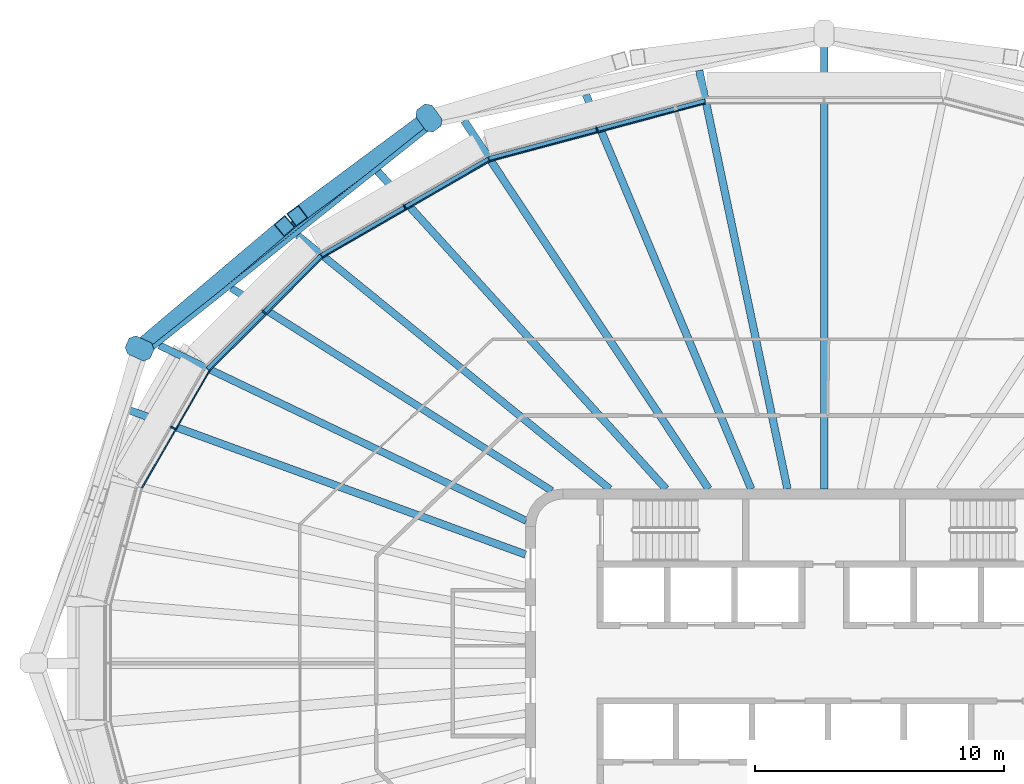
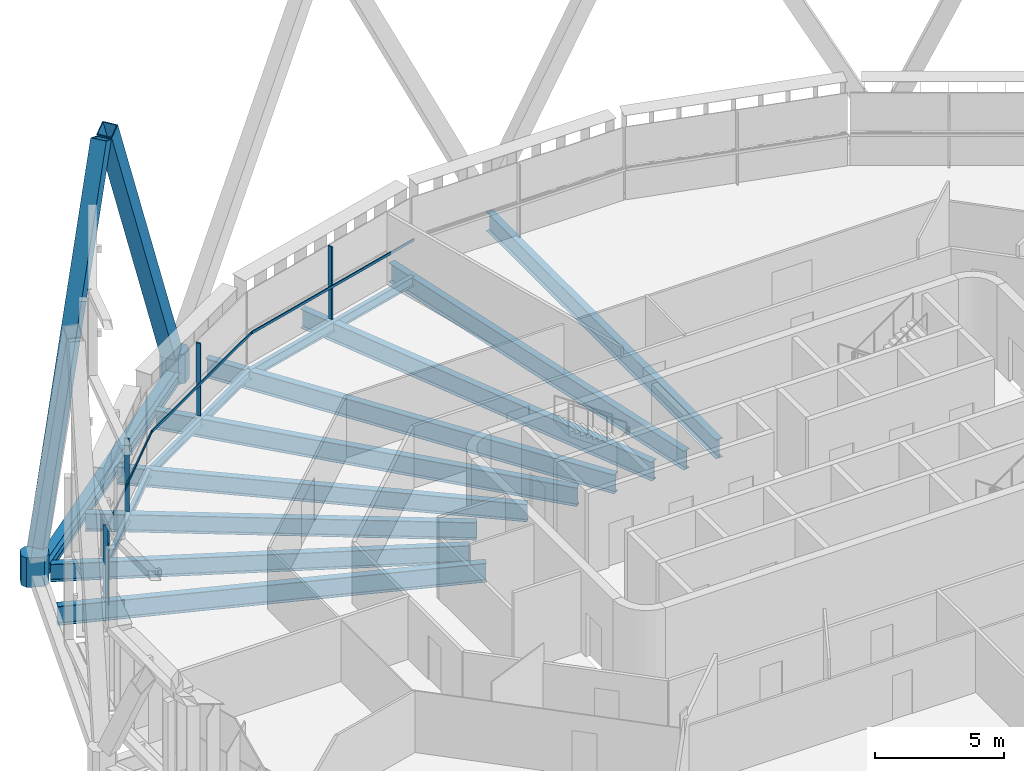
# One storey, part 6 of 22: 14 beams, 12 members, 4 elements without a shape of their own.
"""IFC4 building model written with IfcOpenShell, lengths in metres."""

from ifc_helpers import new_model, si_unit, direction, frame, origin, origin_2d, place, context, subcontext, project, spatial, polyline, rectangle, hollow_rectangle, i_section, outline, extrude, material, layer, layer_set, material_profile, profile_set, type_object, element, aggregate, save


model = new_model("IFC4")

# Units and contexts
model_context = context("Model", 3, precision=1e-05, world=origin(), true_north=direction((0.0, 1.0)))
body_context = subcontext(model_context, "Body", "Model", "MODEL_VIEW")
ifc_project = project(units=[si_unit("LENGTHUNIT", "METRE"), si_unit("AREAUNIT", "SQUARE_METRE"), si_unit("VOLUMEUNIT", "CUBIC_METRE"), si_unit("PLANEANGLEUNIT", "RADIAN"), si_unit("MASSUNIT", "GRAM", prefix="KILO")], contexts=[model_context])

# Site, building, storey
site_placement = place(None, origin())
site = spatial("IfcSite", under=ifc_project, at=site_placement, CompositionType="ELEMENT")
building_placement = place(site_placement, origin())
building = spatial("IfcBuilding", under=site, at=building_placement, Name="Sahrelin Media Tower", CompositionType="ELEMENT")
storey_placement = place(building_placement, frame((0.0, 0.0, 283.0)))
storey = spatial("IfcBuildingStorey", under=building, at=storey_placement, Name="L62", CompositionType="ELEMENT", Elevation=283.0)

# Members
ifc_material_1 = material(Name="Steel S460", Category="steel")
ifc_material_profile_1 = material_profile(ifc_material_1, hollow_rectangle(XDim=0.64990234375, YDim=0.64990234375, WallThickness=0.034912109375, at=origin_2d()), Name="Diagrid diagonal DG8")
ifc_profile_set_1 = profile_set([ifc_material_profile_1], Name="Steel S460")
member_type_1 = type_object("IfcMemberType", Name="Diagrid diagonal DG8", PredefinedType="BRACE", material=ifc_profile_set_1)
member_1_placement = place(storey_placement, frame((-16.121826171875, 21.722412109375, 0.699951171875), z_axis=(-0.317562028427, -0.235967722545, 0.918408183771), x_axis=(0.596429054318, -0.802665797929, 0.0)))
element("IfcMember", 1, at=member_1_placement, inside=storey, type_object=member_type_1, Name="Diagrid diagonal D14-08", PredefinedType="BRACE", context=body_context, shape_type="SweptSolid", body=[
    extrude(hollow_rectangle(XDim=0.64990234375, YDim=0.64990234375, WallThickness=0.034912109375, at=origin_2d()), origin(), (0.0, 0.0, 1.0), 15.897216796875),
])
member_2_placement = place(storey_placement, frame((-27.23779296875, 12.870361328125, 0.699951171875), z_axis=(0.340774386731, 0.287854833306, 0.894992967733), x_axis=(-0.645298316968, 0.763930678869, 0.0)))
element("IfcMember", 2, at=member_2_placement, inside=storey, type_object=member_type_1, Name="Diagrid diagonal D14-09", PredefinedType="BRACE", context=body_context, shape_type="SweptSolid", body=[
    extrude(hollow_rectangle(XDim=0.64990234375, YDim=0.64990234375, WallThickness=0.034912109375, at=origin_2d()), origin(), (0.0, 0.0, 1.0), 16.31298828125),
])
ifc_material_profile_2 = material_profile(ifc_material_1, outline(polyline([(0.35009765625, -0.39990234375), (0.550048828125, -0.199951171875), (0.550048828125, 0.199951171875), (0.35009765625, 0.39990234375), (-0.35009765625, 0.39990234375), (-0.550048828125, 0.199951171875), (-0.550048828125, -0.199951171875), (-0.35009765625, -0.39990234375), (0.35009765625, -0.39990234375)])), Name="Diagrid node block 1100")
ifc_profile_set_2 = profile_set([ifc_material_profile_2], Name="Steel S460")
member_type_2 = type_object("IfcMemberType", Name="Diagrid node block 1100", PredefinedType="USERDEFINED", material=ifc_profile_set_2)
for number, where, z_axis, x_axis, name in (
    (3, (-15.879638671875, 21.902099609375, -0.699951171875), (0.0, 0.0, 1.0), (-0.586981533995, 0.809600320374, 0.0), "Diagrid node N14-04"),
    (4, (-27.50439453125, 12.645263671875, -0.699951171875), (0.0, 0.0, 1.0), (-0.90857453379, 0.417722774755, 0.0), "Diagrid node N14-05"),
):
    element("IfcMember", number, at=place(storey_placement, frame(where, z_axis=z_axis, x_axis=x_axis)), inside=storey, type_object=member_type_2, Name=name, ObjectType="NODE", PredefinedType="USERDEFINED", context=body_context, shape_type="SweptSolid", body=[
        extrude(outline(polyline([(0.35009765625, -0.39990234375), (0.550048828125, -0.199951171875), (0.550048828125, 0.199951171875), (0.35009765625, 0.39990234375), (-0.35009765625, 0.39990234375), (-0.550048828125, 0.199951171875), (-0.550048828125, -0.199951171875), (-0.35009765625, -0.39990234375), (0.35009765625, -0.39990234375)])), origin(), (0.0, 0.0, 1.0), 1.39990234375),
    ])

# Beams
ifc_material_profile_3 = material_profile(ifc_material_1, hollow_rectangle(XDim=0.39990234375, YDim=0.60009765625, WallThickness=0.030029296875, at=origin_2d()), Name="Diagrid ring beam RB1")
ifc_profile_set_3 = profile_set([ifc_material_profile_3], Name="Steel S460")
beam_type_1 = type_object("IfcBeamType", Name="Diagrid ring beam RB1", PredefinedType="BEAM", material=ifc_profile_set_3)
beam_1_placement = place(storey_placement, frame((-15.879638671875, 21.902099609375, -0.449951171875), z_axis=(-0.78227732761, -0.622930319304, 0.0), x_axis=(0.622930319304, -0.78227732761, 0.0)))
element("IfcBeam", 5, at=beam_1_placement, inside=storey, type_object=beam_type_1, Name="Diagrid ring beam RB14-04", PredefinedType="BEAM", context=body_context, shape_type="SweptSolid", body=[
    extrude(hollow_rectangle(XDim=0.39990234375, YDim=0.60009765625, WallThickness=0.030029296875, at=origin_2d()), origin(), (0.0, 0.0, 1.0), 14.860107421875),
])
ifc_material_2 = material(Name="Steel S355", Category="steel")
ifc_material_profile_4 = material_profile(ifc_material_2, i_section(OverallWidth=0.17138671875, OverallDepth=0.35498046875, WebThickness=0.00732421875, FlangeThickness=0.011474609375, FilletRadius=0.01025390625, at=origin_2d()), Name="UB 356x171x51")
ifc_profile_set_4 = profile_set([ifc_material_profile_4], Name="Steel S355")
beam_type_2 = type_object("IfcBeamType", Name="Edge beam EB3", PredefinedType="BEAM", material=ifc_profile_set_4)
beam_2_placement = place(storey_placement, frame((-24.760009765625, 11.815185546875, -0.327392578125), z_axis=(0.707106781187, 0.707106781187, 0.0), x_axis=(-0.707106781187, 0.707106781187, 0.0)))
element("IfcBeam", 6, at=beam_2_placement, inside=storey, type_object=beam_type_2, Name="Edge beam L62-16", PredefinedType="BEAM", context=body_context, shape_type="SweptSolid", body=[
    extrude(i_section(OverallWidth=0.17138671875, OverallDepth=0.35498046875, WebThickness=0.00732421875, FlangeThickness=0.011474609375, FilletRadius=0.01025390625, at=origin_2d()), origin(), (0.0, 0.0, 1.0), 6.429443359375),
])
ifc_material_profile_5 = material_profile(ifc_material_2, i_section(OverallWidth=0.177978515625, OverallDepth=0.406494140625, WebThickness=0.0078125, FlangeThickness=0.0126953125, FilletRadius=0.01025390625, at=origin_2d()), Name="UB 406x178x60")
ifc_profile_set_5 = profile_set([ifc_material_profile_5], Name="Steel S355")
beam_type_3 = type_object("IfcBeamType", Name="Edge beam EB4", PredefinedType="BEAM", material=ifc_profile_set_5)
beam_3_placement = place(storey_placement, frame((-20.19091796875, 16.37890625, -0.353271484375), z_axis=(0.86601536123, 0.500017393812, 0.0), x_axis=(-0.500017393812, 0.86601536123, 0.0)))
element("IfcBeam", 7, at=beam_3_placement, inside=storey, type_object=beam_type_3, Name="Edge beam L62-17", PredefinedType="BEAM", context=body_context, shape_type="SweptSolid", body=[
    extrude(i_section(OverallWidth=0.177978515625, OverallDepth=0.406494140625, WebThickness=0.0078125, FlangeThickness=0.0126953125, FilletRadius=0.01025390625, at=origin_2d()), origin(), (0.0, 0.0, 1.0), 7.738525390625),
])
ifc_material_profile_6 = material_profile(ifc_material_2, i_section(OverallWidth=0.1904296875, OverallDepth=0.45703125, WebThickness=0.009033203125, FlangeThickness=0.014404296875, FilletRadius=0.01025390625, at=origin_2d()), Name="UB 457x191x74")
ifc_profile_set_6 = profile_set([ifc_material_profile_6], Name="Steel S355")
beam_type_4 = type_object("IfcBeamType", Name="Edge beam EB5", PredefinedType="BEAM", material=ifc_profile_set_6)
beam_4_placement = place(storey_placement, frame((-13.462646484375, 20.25927734375, -0.37841796875), z_axis=(0.965926576826, 0.258816244043, 0.0), x_axis=(-0.258816244043, 0.965926576826, 0.0)))
element("IfcBeam", 8, at=beam_4_placement, inside=storey, type_object=beam_type_4, Name="Edge beam L62-18", PredefinedType="BEAM", context=body_context, shape_type="SweptSolid", body=[
    extrude(i_section(OverallWidth=0.1904296875, OverallDepth=0.45703125, WebThickness=0.009033203125, FlangeThickness=0.014404296875, FilletRadius=0.01025390625, at=origin_2d()), origin(), (0.0, 0.0, 1.0), 8.982177734375),
])

# Curtain wall, member
ifc_material_3 = material(Name="Champagne anodised aluminium 6063-T6", Category="aluminium")
ifc_layer = layer(ifc_material_3, 0.14990234375)
ifc_layer_set = layer_set([ifc_layer], Name="Tower ribbon curtain wall")
curtain_wall_type = type_object("IfcCurtainWallType", Name="Tower ribbon curtain wall", PredefinedType="NOTDEFINED", material=ifc_layer_set)
curtain_wall_1_placement = place(storey_placement, frame((-9.163330078125, 21.56640625, 0.0), z_axis=(0.0, 0.0, 1.0), x_axis=(1.0, 0.0, 0.0)))
curtain_wall_1 = element("IfcCurtainWall", 9, at=curtain_wall_1_placement, inside=storey, type_object=curtain_wall_type, Name="L62:CW:L62-07", PredefinedType="NOTDEFINED")
ifc_material_profile_7 = material_profile(ifc_material_3, rectangle(XDim=0.06005859375, YDim=0.199951171875, at=origin_2d()), Name="Mullion 60x200")
ifc_profile_set_7 = profile_set([ifc_material_profile_7], Name="Champagne anodised aluminium 6063-T6")
member_type_3 = type_object("IfcMemberType", Name="Mullion 60x200 CW1C", PredefinedType="MULLION", material=ifc_profile_set_7)
member_3_placement = place(storey_placement, frame((-9.13232421875, 21.45068359375, 0.0), z_axis=(0.0, 0.0, 1.0), x_axis=(-0.965927633163, -0.258812301662, 0.0)))
member_3 = element("IfcMember", 10, at=member_3_placement, type_object=member_type_3, Name="L62:CWM:L62-07", PredefinedType="MULLION", context=body_context, shape_type="SweptSolid", body=[
    extrude(rectangle(XDim=0.06005859375, YDim=0.199951171875, at=origin_2d()), origin(), (0.0, 0.0, 1.0), 3.448486328125),
])

curtain_wall_2_placement = place(storey_placement, frame((-16.9150390625, 18.443603515625, 0.0), z_axis=(0.0, 0.0, 1.0), x_axis=(1.0, 0.0, 0.0)))
curtain_wall_2 = element("IfcCurtainWall", 11, at=curtain_wall_2_placement, inside=storey, type_object=curtain_wall_type, Name="L62:CW:L62-08", PredefinedType="NOTDEFINED")
member_4_placement = place(storey_placement, frame((-16.85498046875, 18.339599609375, 0.0), z_axis=(0.0, 0.0, 1.0), x_axis=(-0.86602365845, -0.500003022996, 0.0)))
member_4 = element("IfcMember", 12, at=member_4_placement, type_object=member_type_3, Name="L62:CWM:L62-08", PredefinedType="MULLION", context=body_context, shape_type="SweptSolid", body=[
    extrude(rectangle(XDim=0.06005859375, YDim=0.199951171875, at=origin_2d()), origin(), (0.0, 0.0, 1.0), 3.448486328125),
])

curtain_wall_3_placement = place(storey_placement, frame((-22.593017578125, 14.1943359375, 0.0), z_axis=(0.0, 0.0, 1.0), x_axis=(1.0, 0.0, 0.0)))
curtain_wall_3 = element("IfcCurtainWall", 13, at=curtain_wall_3_placement, inside=storey, type_object=curtain_wall_type, Name="L62:CW:L62-09", PredefinedType="NOTDEFINED")
member_5_placement = place(storey_placement, frame((-22.508056640625, 14.109619140625, 0.0), z_axis=(0.0, 0.0, 1.0), x_axis=(-0.707106781187, -0.707106781187, 0.0)))
member_5 = element("IfcMember", 14, at=member_5_placement, type_object=member_type_3, Name="L62:CWM:L62-09", PredefinedType="MULLION", context=body_context, shape_type="SweptSolid", body=[
    extrude(rectangle(XDim=0.06005859375, YDim=0.199951171875, at=origin_2d()), origin(), (0.0, 0.0, 1.0), 3.448486328125),
])

curtain_wall_4_placement = place(storey_placement, frame((-26.26708984375, 9.512451171875, 0.0), z_axis=(0.0, 0.0, 1.0), x_axis=(1.0, 0.0, 0.0)))
curtain_wall_4 = element("IfcCurtainWall", 15, at=curtain_wall_4_placement, inside=storey, type_object=curtain_wall_type, Name="L62:CW:L62-10", PredefinedType="NOTDEFINED")
member_6_placement = place(storey_placement, frame((-26.1630859375, 9.452392578125, 0.0), z_axis=(0.0, 0.0, 1.0), x_axis=(-0.5, -0.866025403784, 0.0)))
member_6 = element("IfcMember", 16, at=member_6_placement, type_object=member_type_3, Name="L62:CWM:L62-10", PredefinedType="MULLION", context=body_context, shape_type="SweptSolid", body=[
    extrude(rectangle(XDim=0.06005859375, YDim=0.199951171875, at=origin_2d()), origin(), (0.0, 0.0, 1.0), 3.448486328125),
])

# Beams
ifc_material_profile_8 = material_profile(ifc_material_2, i_section(OverallWidth=0.291748046875, OverallDepth=0.8349609375, WebThickness=0.013916015625, FlangeThickness=0.018798828125, FilletRadius=0.017822265625, at=origin_2d()), Name="UB 838x292x176")
ifc_profile_set_8 = profile_set([ifc_material_profile_8], Name="Steel S355")
beam_type_5 = type_object("IfcBeamType", Name="Radial primary beam PB10", PredefinedType="BEAM", material=ifc_profile_set_8)
beam_5_placement = place(storey_placement, frame((-8.614501953125, 7.0, -0.5673828125), z_axis=(-0.776084892008, 0.630628448769, 0.0), x_axis=(-0.630628448769, -0.776084892008, 0.0)))
element("IfcBeam", 17, at=beam_5_placement, inside=storey, type_object=beam_type_5, Name="Radial beam L62-09", PredefinedType="BEAM", context=body_context, shape_type="SweptSolid", body=[
    extrude(i_section(OverallWidth=0.291748046875, OverallDepth=0.8349609375, WebThickness=0.013916015625, FlangeThickness=0.018798828125, FilletRadius=0.017822265625, at=origin_2d()), origin(), (0.0, 0.0, 1.0), 16.163330078125),
])
beam_6_placement = place(storey_placement, frame((-11.970703125, 5.7216796875, -0.5673828125), z_axis=(-0.902234066449, 0.431246668787, 0.0), x_axis=(-0.431246668787, -0.902234066449, 0.0)))
element("IfcBeam", 18, at=beam_6_placement, inside=storey, type_object=beam_type_5, Name="Radial beam L62-10", PredefinedType="BEAM", context=body_context, shape_type="SweptSolid", body=[
    extrude(i_section(OverallWidth=0.291748046875, OverallDepth=0.8349609375, WebThickness=0.013916015625, FlangeThickness=0.018798828125, FilletRadius=0.017822265625, at=origin_2d()), origin(), (0.0, 0.0, 1.0), 16.34130859375),
])
ifc_material_profile_9 = material_profile(ifc_material_2, i_section(OverallWidth=0.30322265625, OverallDepth=0.903076171875, WebThickness=0.01513671875, FlangeThickness=0.020263671875, FilletRadius=0.01904296875, at=origin_2d()), Name="UB 914x305x201")
ifc_profile_set_9 = profile_set([ifc_material_profile_9], Name="Steel S355")
beam_type_6 = type_object("IfcBeamType", Name="Radial primary beam PB11", PredefinedType="BEAM", material=ifc_profile_set_9)
beam_7_placement = place(storey_placement, frame((-1.475341796875, 7.0, -0.6015625), z_axis=(-0.206228140051, 0.978503936758, 0.0), x_axis=(-0.978503936758, -0.206228140051, 0.0)))
element("IfcBeam", 19, at=beam_7_placement, inside=storey, type_object=beam_type_6, Name="Radial beam L62-07", PredefinedType="BEAM", context=body_context, shape_type="SweptSolid", body=[
    extrude(i_section(OverallWidth=0.30322265625, OverallDepth=0.903076171875, WebThickness=0.01513671875, FlangeThickness=0.020263671875, FilletRadius=0.01904296875, at=origin_2d()), origin(), (0.0, 0.0, 1.0), 17.1845703125),
])
beam_8_placement = place(storey_placement, frame((-4.645263671875, 7.0, -0.6015625), z_axis=(-0.552932146069, 0.833226284897, 0.0), x_axis=(-0.833226284897, -0.552932146069, 0.0)))
element("IfcBeam", 20, at=beam_8_placement, inside=storey, type_object=beam_type_6, Name="Radial beam L62-08", PredefinedType="BEAM", context=body_context, shape_type="SweptSolid", body=[
    extrude(i_section(OverallWidth=0.30322265625, OverallDepth=0.903076171875, WebThickness=0.01513671875, FlangeThickness=0.020263671875, FilletRadius=0.01904296875, at=origin_2d()), origin(), (0.0, 0.0, 1.0), 17.76171875),
])
ifc_material_profile_10 = material_profile(ifc_material_2, i_section(OverallWidth=0.291748046875, OverallDepth=0.8349609375, WebThickness=0.013916015625, FlangeThickness=0.018798828125, FilletRadius=0.017822265625, at=origin_2d()), Name="UB 838x292x176")
ifc_profile_set_10 = profile_set([ifc_material_profile_10], Name="Steel S355")
beam_type_7 = type_object("IfcBeamType", Name="Radial secondary beam SB10", PredefinedType="BEAM", material=ifc_profile_set_10)
beam_9_placement = place(storey_placement, frame((-10.9453125, 6.92529296875, -0.5673828125), z_axis=(-0.845064505268, 0.534664363817, 0.0), x_axis=(-0.534664363817, -0.845064505268, 0.0)))
element("IfcBeam", 21, at=beam_9_placement, inside=storey, type_object=beam_type_7, Name="Secondary beam L62-09", PredefinedType="BEAM", context=body_context, shape_type="SweptSolid", body=[
    extrude(i_section(OverallWidth=0.291748046875, OverallDepth=0.8349609375, WebThickness=0.013916015625, FlangeThickness=0.018798828125, FilletRadius=0.017822265625, at=origin_2d()), origin(), (0.0, 0.0, 1.0), 15.237548828125),
])
ifc_material_profile_11 = material_profile(ifc_material_2, i_section(OverallWidth=0.30322265625, OverallDepth=0.903076171875, WebThickness=0.01513671875, FlangeThickness=0.020263671875, FilletRadius=0.01904296875, at=origin_2d()), Name="UB 914x305x201")
ifc_profile_set_11 = profile_set([ifc_material_profile_11], Name="Steel S355")
beam_type_8 = type_object("IfcBeamType", Name="Radial secondary beam SB11", PredefinedType="BEAM", material=ifc_profile_set_11)
beam_10_placement = place(storey_placement, frame((0.0, 7.0, -0.6015625), z_axis=(0.0, 1.0, 0.0), x_axis=(-1.0, 0.0, 0.0)))
element("IfcBeam", 22, at=beam_10_placement, inside=storey, type_object=beam_type_8, Name="Secondary beam L62-06", PredefinedType="BEAM", context=body_context, shape_type="SweptSolid", body=[
    extrude(i_section(OverallWidth=0.30322265625, OverallDepth=0.903076171875, WebThickness=0.01513671875, FlangeThickness=0.020263671875, FilletRadius=0.01904296875, at=origin_2d()), origin(), (0.0, 0.0, 1.0), 17.88623046875),
])
beam_11_placement = place(storey_placement, frame((-2.93310546875, 7.0, -0.6015625), z_axis=(-0.386479475231, 0.922298007818, 0.0), x_axis=(-0.922298007818, -0.386479475231, 0.0)))
element("IfcBeam", 23, at=beam_11_placement, inside=storey, type_object=beam_type_8, Name="Secondary beam L62-07", PredefinedType="BEAM", context=body_context, shape_type="SweptSolid", body=[
    extrude(i_section(OverallWidth=0.30322265625, OverallDepth=0.903076171875, WebThickness=0.01513671875, FlangeThickness=0.020263671875, FilletRadius=0.01904296875, at=origin_2d()), origin(), (0.0, 0.0, 1.0), 17.178466796875),
])
beam_12_placement = place(storey_placement, frame((-6.355224609375, 7.0, -0.6015625), z_axis=(-0.672188169789, 0.740380351168, 0.0), x_axis=(-0.740380351168, -0.672188169789, 0.0)))
element("IfcBeam", 24, at=beam_12_placement, inside=storey, type_object=beam_type_8, Name="Secondary beam L62-08", PredefinedType="BEAM", context=body_context, shape_type="SweptSolid", body=[
    extrude(i_section(OverallWidth=0.30322265625, OverallDepth=0.903076171875, WebThickness=0.01513671875, FlangeThickness=0.020263671875, FilletRadius=0.01904296875, at=origin_2d()), origin(), (0.0, 0.0, 1.0), 17.2314453125),
])
beam_13_placement = place(storey_placement, frame((-12.0, 4.368408203125, -0.6015625), z_axis=(-0.939678944204, 0.342057717089, 0.0), x_axis=(-0.342057717089, -0.939678944204, 0.0)))
element("IfcBeam", 25, at=beam_13_placement, inside=storey, type_object=beam_type_8, Name="Secondary beam L62-10", PredefinedType="BEAM", context=body_context, shape_type="SweptSolid", body=[
    extrude(i_section(OverallWidth=0.30322265625, OverallDepth=0.903076171875, WebThickness=0.01513671875, FlangeThickness=0.020263671875, FilletRadius=0.01904296875, at=origin_2d()), origin(), (0.0, 0.0, 1.0), 16.944091796875),
])
ifc_material_profile_12 = material_profile(ifc_material_2, i_section(OverallWidth=0.1904296875, OverallDepth=0.45703125, WebThickness=0.009033203125, FlangeThickness=0.014404296875, FilletRadius=0.01025390625, at=origin_2d()), Name="UB 457x191x74")
ifc_profile_set_12 = profile_set([ifc_material_profile_12], Name="Steel S355")
beam_type_9 = type_object("IfcBeamType", Name="Tie chord TC5", PredefinedType="BEAM", material=ifc_profile_set_12)
beam_14_placement = place(storey_placement, frame((-27.248046875, 12.465576171875, -0.37841796875), z_axis=(0.782269953525, 0.622939579584, 0.0), x_axis=(-0.622939579584, 0.782269953525, 0.0)))
element("IfcBeam", 26, at=beam_14_placement, inside=storey, type_object=beam_type_9, Name="Tie chord L62-08", PredefinedType="BEAM", context=body_context, shape_type="SweptSolid", body=[
    extrude(i_section(OverallWidth=0.1904296875, OverallDepth=0.45703125, WebThickness=0.009033203125, FlangeThickness=0.014404296875, FilletRadius=0.01025390625, at=origin_2d()), origin(), (0.0, 0.0, 1.0), 14.700927734375),
])

# Member
ifc_material_profile_13 = material_profile(ifc_material_3, rectangle(XDim=0.050048828125, YDim=0.1201171875, at=origin_2d()), Name="Transom 50x120")
ifc_profile_set_13 = profile_set([ifc_material_profile_13], Name="Champagne anodised aluminium 6063-T6")
member_type_4 = type_object("IfcMemberType", Name="Transom 50x120 CW1C", PredefinedType="USERDEFINED", material=ifc_profile_set_13)
member_7_placement = place(storey_placement, frame((-4.777099609375, 22.488037109375, 1.60009765625), z_axis=(-0.96593185919, -0.258796528958, 0.0), x_axis=(0.258796528958, -0.96593185919, 0.0)))
member_7 = element("IfcMember", 27, at=member_7_placement, type_object=member_type_4, Name="L62:CWT:L62-07", ObjectType="TRANSOM", PredefinedType="USERDEFINED", context=body_context, shape_type="SweptSolid", body=[
    extrude(rectangle(XDim=0.050048828125, YDim=0.1201171875, at=origin_2d()), origin(), (0.0, 0.0, 1.0), 8.95068359375),
])

aggregate(curtain_wall_1, [member_3, member_7])

member_8_placement = place(storey_placement, frame((-13.455322265625, 20.158203125, 1.60009765625), z_axis=(-0.866019939657, -0.500009464026, 0.0), x_axis=(0.500009464026, -0.866019939657, 0.0)))
member_8 = element("IfcMember", 28, at=member_8_placement, type_object=member_type_4, Name="L62:CWT:L62-08", ObjectType="TRANSOM", PredefinedType="USERDEFINED", context=body_context, shape_type="SweptSolid", body=[
    extrude(rectangle(XDim=0.050048828125, YDim=0.1201171875, at=origin_2d()), origin(), (0.0, 0.0, 1.0), 7.706787109375),
])

aggregate(curtain_wall_2, [member_4, member_8])

member_9_placement = place(storey_placement, frame((-20.15771484375, 16.283203125, 1.60009765625), z_axis=(-0.707087701391, -0.707125860468, 0.0), x_axis=(0.707125860468, -0.707087701391, 0.0)))
member_9 = element("IfcMember", 29, at=member_9_placement, type_object=member_type_4, Name="L62:CWT:L62-09", ObjectType="TRANSOM", PredefinedType="USERDEFINED", context=body_context, shape_type="SweptSolid", body=[
    extrude(rectangle(XDim=0.050048828125, YDim=0.1201171875, at=origin_2d()), origin(), (0.0, 0.0, 1.0), 6.39794921875),
])

aggregate(curtain_wall_3, [member_5, member_9])

member_10_placement = place(storey_placement, frame((-24.703125, 11.731201171875, 1.60009765625), z_axis=(-0.499980420476, -0.866036707733, 0.0), x_axis=(0.866036707733, -0.499980420476, 0.0)))
member_10 = element("IfcMember", 30, at=member_10_placement, type_object=member_type_4, Name="L62:CWT:L62-10", ObjectType="TRANSOM", PredefinedType="USERDEFINED", context=body_context, shape_type="SweptSolid", body=[
    extrude(rectangle(XDim=0.050048828125, YDim=0.1201171875, at=origin_2d()), origin(), (0.0, 0.0, 1.0), 5.406982421875),
])

aggregate(curtain_wall_4, [member_6, member_10])

save(model, "model.ifc")
